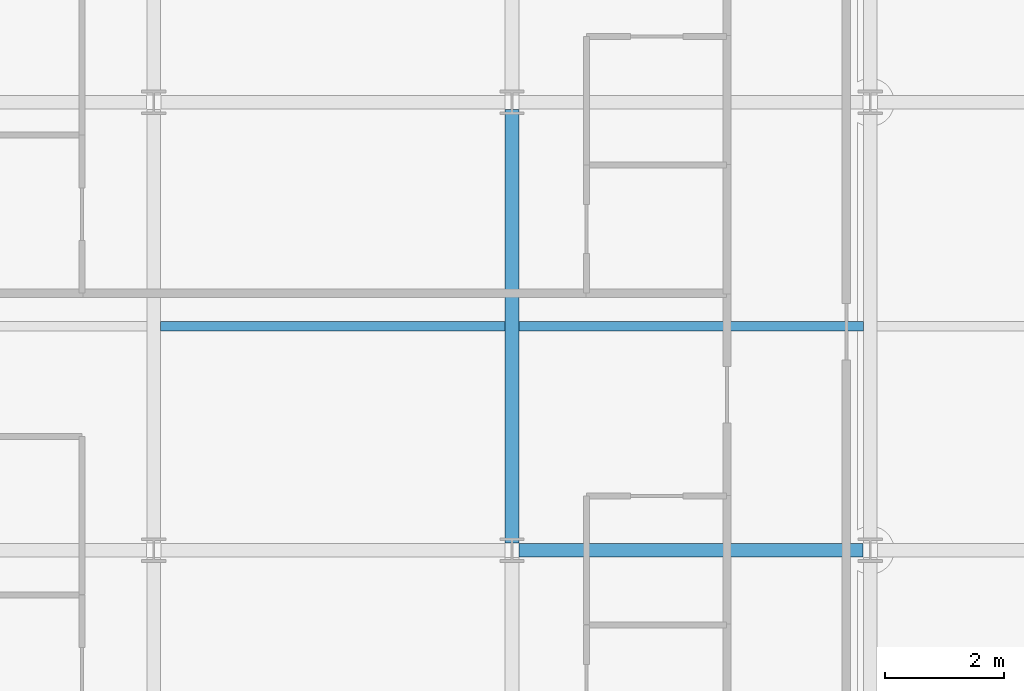
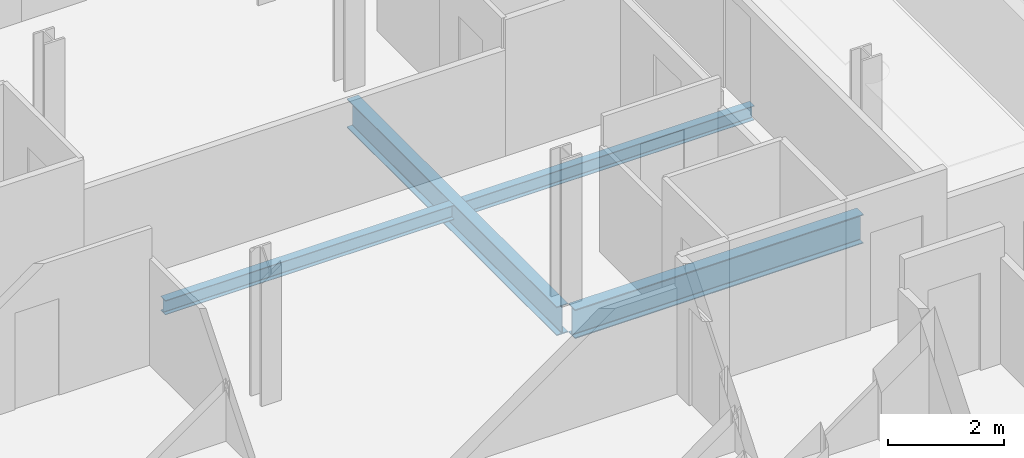
# One storey, part 8 of 41: 4 beams.
"""IFC4 building model written with IfcOpenShell, lengths in metres."""

from ifc_helpers import new_model, si_unit, direction, frame, origin, origin_2d, place, context, subcontext, project, spatial, i_section, extrude, material, material_profile, profile_set, type_object, element, save


model = new_model("IFC4")

# Units and contexts
model_context = context("Model", 3, precision=1e-05, world=origin(), true_north=direction((0.0, 1.0)))
body_context = subcontext(model_context, "Body", "Model", "MODEL_VIEW")
ifc_project = project(units=[si_unit("LENGTHUNIT", "METRE"), si_unit("AREAUNIT", "SQUARE_METRE"), si_unit("VOLUMEUNIT", "CUBIC_METRE"), si_unit("PLANEANGLEUNIT", "RADIAN"), si_unit("MASSUNIT", "GRAM", prefix="KILO")], contexts=[model_context])

# Site, building, storey
site_placement = place(None, origin())
site = spatial("IfcSite", under=ifc_project, at=site_placement, CompositionType="ELEMENT")
building_placement = place(site_placement, origin())
building = spatial("IfcBuilding", under=site, at=building_placement, Name="Brevholm Reach", CompositionType="ELEMENT")
storey_placement = place(building_placement, frame((0.0, 0.0, 144.89990234375)))
storey = spatial("IfcBuildingStorey", under=building, at=storey_placement, Name="L43", CompositionType="ELEMENT", Elevation=144.89990234375)

# Beams
ifc_material_1 = material(Name="Structural Steel S355J2", Category="steel")
ifc_material_profile_1 = material_profile(ifc_material_1, i_section(OverallWidth=0.1650390625, OverallDepth=0.303466796875, WebThickness=0.006103515625, FlangeThickness=0.01025390625, FilletRadius=0.0087890625, at=origin_2d()), Name="UKB 305x165x40")
ifc_profile_set_1 = profile_set([ifc_material_profile_1], Name="Structural Steel S355J2")
beam_type_1 = type_object("IfcBeamType", Name="BM-B305", PredefinedType="BEAM", material=ifc_profile_set_1)
for number, where, z_axis, x_axis, name in (
    (1, (6.114501953125, 19.75, -0.37158203125), (1.0, 0.0, 0.0), (0.0, 1.0, 0.0), "L43 Composite Secondary Floor Beam"),
    (2, (12.114501953125, 19.75, -0.37158203125), (1.0, 0.0, 0.0), (0.0, 1.0, 0.0), "L43 Composite Secondary Floor Beam"),
):
    element("IfcBeam", number, at=place(storey_placement, frame(where, z_axis=z_axis, x_axis=x_axis)), inside=storey, type_object=beam_type_1, Name=name, PredefinedType="BEAM", context=body_context, shape_type="SweptSolid", body=[
        extrude(i_section(OverallWidth=0.1650390625, OverallDepth=0.303466796875, WebThickness=0.006103515625, FlangeThickness=0.01025390625, FilletRadius=0.0087890625, at=origin_2d()), origin(), (0.0, 0.0, 1.0), 5.77099609375),
    ])
ifc_material_2 = material(Name="Structural Steel S355J2", Category="steel")
ifc_material_profile_2 = material_profile(ifc_material_2, i_section(OverallWidth=0.22900390625, OverallDepth=0.6123046875, WebThickness=0.011962890625, FlangeThickness=0.01953125, FilletRadius=0.0126953125, at=origin_2d()), Name="UKB 610x229x125")
ifc_profile_set_2 = profile_set([ifc_material_profile_2], Name="Structural Steel S355J2")
beam_type_2 = type_object("IfcBeamType", Name="BM-SP610", PredefinedType="SPANDREL", material=ifc_profile_set_2)
beam_1_placement = place(storey_placement, frame((12.1201171875, 16.0, -0.526123046875), z_axis=(1.0, 0.0, 0.0), x_axis=(0.0, 1.0, 0.0)))
element("IfcBeam", 3, at=beam_1_placement, inside=storey, type_object=beam_type_2, Name="L43 SP-01 Framing Beam", PredefinedType="SPANDREL", context=body_context, shape_type="SweptSolid", body=[
    extrude(i_section(OverallWidth=0.22900390625, OverallDepth=0.6123046875, WebThickness=0.011962890625, FlangeThickness=0.01953125, FilletRadius=0.0126953125, at=origin_2d()), origin(), (0.0, 0.0, 1.0), 5.759765625),
])
beam_2_placement = place(storey_placement, frame((12.0, 16.1201171875, -0.526123046875), z_axis=(0.0, 1.0, 0.0), x_axis=(-1.0, 0.0, 0.0)))
element("IfcBeam", 4, at=beam_2_placement, inside=storey, type_object=beam_type_2, Name="L43 SP-01 Framing Beam", PredefinedType="SPANDREL", context=body_context, shape_type="SweptSolid", body=[
    extrude(i_section(OverallWidth=0.22900390625, OverallDepth=0.6123046875, WebThickness=0.011962890625, FlangeThickness=0.01953125, FilletRadius=0.0126953125, at=origin_2d()), origin(), (0.0, 0.0, 1.0), 7.259765625),
])

save(model, "model.ifc")
